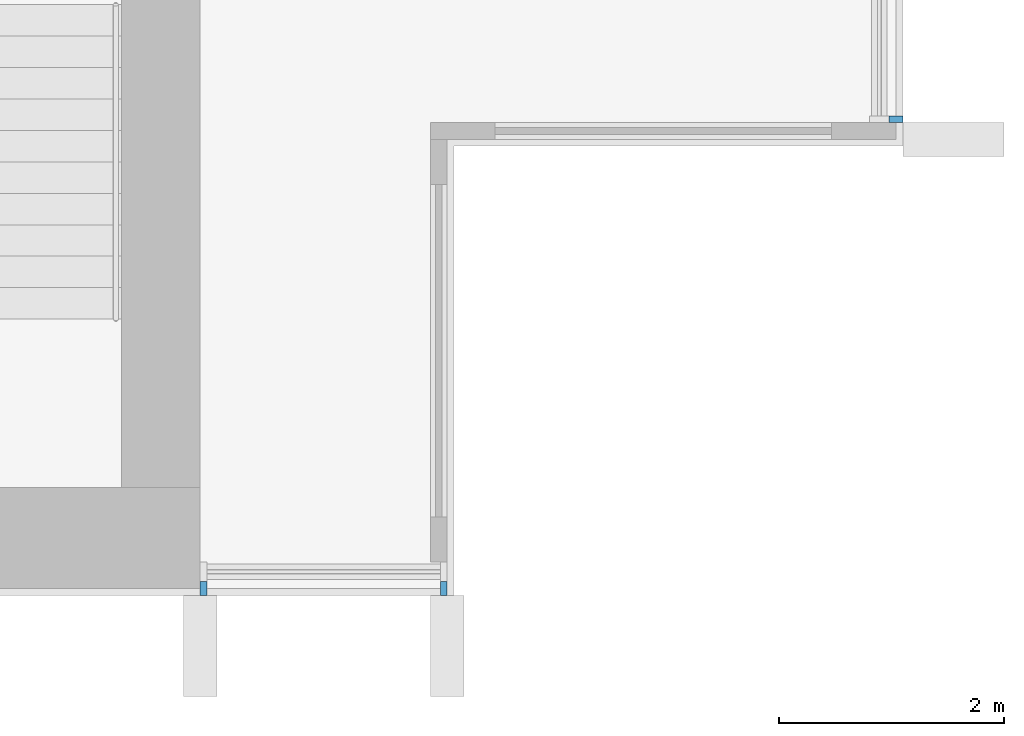
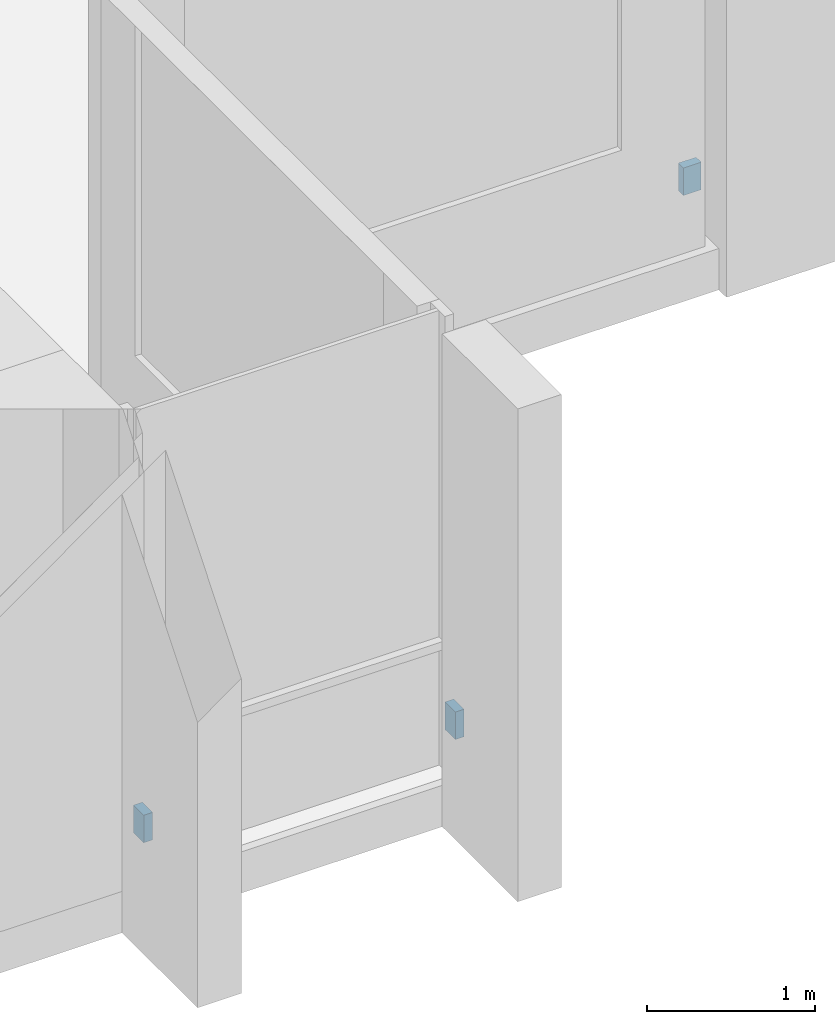
# One storey, part 14 of 17: 3 discrete accessories.
"""IFC4 building model written with IfcOpenShell, lengths in metres."""

from ifc_helpers import new_model, si_unit, direction, frame, origin, origin_2d, place, context, subcontext, project, spatial, rectangle, extrude, material, type_object, element, save


model = new_model("IFC4")

# Units and contexts
model_context = context("Model", 3, precision=1e-05, world=origin(), true_north=direction((0.0, 1.0)))
body_context = subcontext(model_context, "Body", "Model", "MODEL_VIEW")
ifc_project = project(units=[si_unit("LENGTHUNIT", "METRE"), si_unit("AREAUNIT", "SQUARE_METRE"), si_unit("VOLUMEUNIT", "CUBIC_METRE"), si_unit("PLANEANGLEUNIT", "RADIAN"), si_unit("MASSUNIT", "GRAM", prefix="KILO")], contexts=[model_context])

# Site, building, storey
site_placement = place(None, origin())
site = spatial("IfcSite", under=ifc_project, at=site_placement, CompositionType="ELEMENT")
building_placement = place(site_placement, origin())
building = spatial("IfcBuilding", under=site, at=building_placement, Name="Finial Court Residences", CompositionType="ELEMENT")
storey_placement = place(building_placement, frame((0.0, 0.0, 152.89990234375)))
storey = spatial("IfcBuildingStorey", under=building, at=storey_placement, Name="L37", CompositionType="ELEMENT", Elevation=152.89990234375)

# Discrete accessories
ifc_material = material(Name="Stainless steel 316", Category="steel")
discrete_accessory_type = type_object("IfcDiscreteAccessoryType", Name="Fin bracket, stainless steel 60 x 122 x 200", PredefinedType="BRACKET", material=ifc_material)
discrete_accessory_placement = place(storey_placement, frame((19.498779296875, -21.320068359375, 0.30029296875), z_axis=(0.0, 0.0, 1.0), x_axis=(1.0, 0.0, 0.0)))
element("IfcDiscreteAccessory", 1, at=discrete_accessory_placement, inside=storey, type_object=discrete_accessory_type, Name="E-L37-FIN-E7-BRK", PredefinedType="BRACKET", context=body_context, shape_type="SweptSolid", body=[
    extrude(rectangle(XDim=0.12255859375, YDim=0.06005859375, at=origin_2d()), origin(), (0.0, 0.0, 1.0), 0.199951171875),
])
for number, where, z_axis, x_axis, name in (
    (2, (13.330078125, -25.498779296875, 0.30029296875), (0.0, 0.0, 1.0), (1.0, 0.0, 0.0), "E-L37-FIN-S20-BRK"),
    (3, (15.469970703125, -25.498779296875, 0.30029296875), (0.0, 0.0, 1.0), (1.0, 0.0, 0.0), "E-L37-FIN-S21-BRK"),
):
    element("IfcDiscreteAccessory", number, at=place(storey_placement, frame(where, z_axis=z_axis, x_axis=x_axis)), inside=storey, type_object=discrete_accessory_type, Name=name, PredefinedType="BRACKET", context=body_context, shape_type="SweptSolid", body=[
        extrude(rectangle(XDim=0.06005859375, YDim=0.12255859375, at=origin_2d()), origin(), (0.0, 0.0, 1.0), 0.199951171875),
    ])

save(model, "model.ifc")
